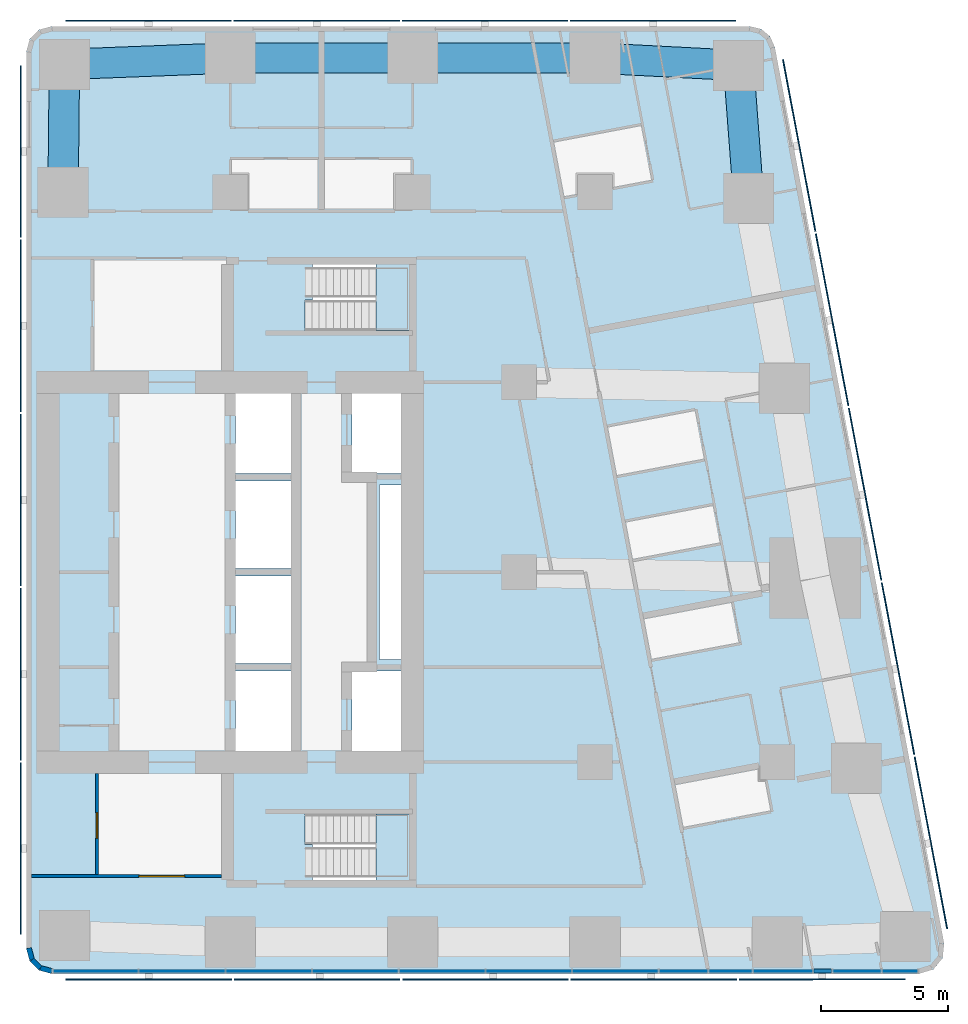
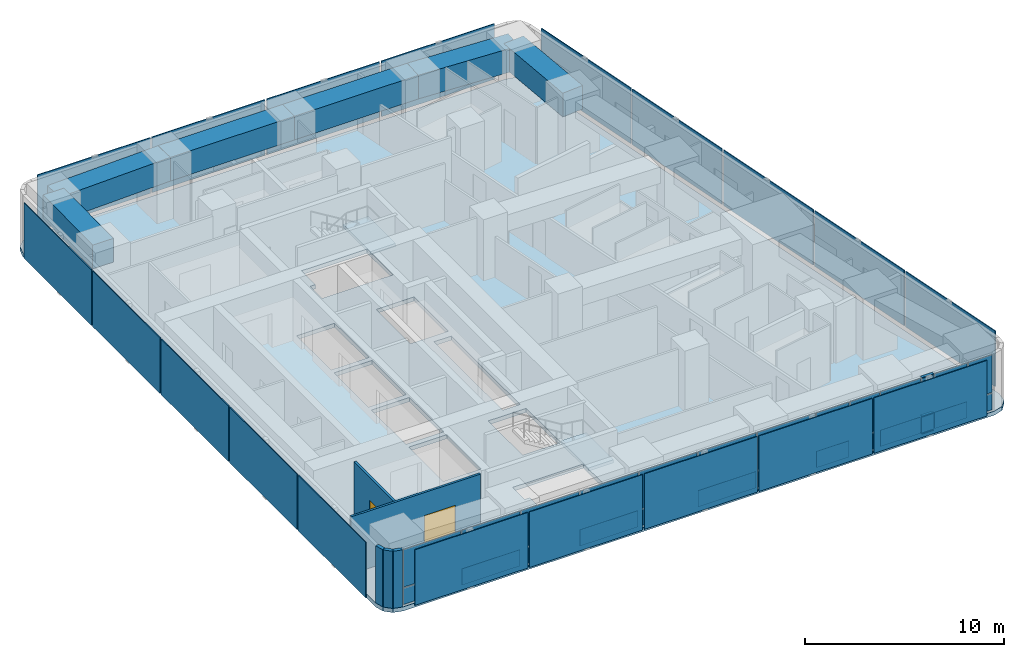
# One storey, part 4 of 11: 45 plates, 6 beams, 5 walls, 3 members, 3 slabs, 2 doors, 2 openings, 3 elements without a shape of their own.
"""IFC4 building model written with IfcOpenShell, lengths in metres."""

from ifc_helpers import new_model, si_unit, direction, frame, frame_2d, origin, origin_2d, place, context, subcontext, project, spatial, polyline, rectangle, outline, extrude, material, layer, layer_set, material_profile, profile_set, type_object, element, fill, aggregate, save


model = new_model("IFC4")

# Units and contexts
model_context = context("Model", 3, precision=1e-05, world=origin(), true_north=direction((0.0, 1.0)))
body_context = subcontext(model_context, "Body", "Model", "MODEL_VIEW")
ifc_project = project(units=[si_unit("LENGTHUNIT", "METRE"), si_unit("AREAUNIT", "SQUARE_METRE"), si_unit("VOLUMEUNIT", "CUBIC_METRE"), si_unit("PLANEANGLEUNIT", "RADIAN"), si_unit("MASSUNIT", "GRAM", prefix="KILO")], contexts=[model_context])

# Site, building, storey
site_placement = place(None, origin())
site = spatial("IfcSite", under=ifc_project, at=site_placement, CompositionType="ELEMENT")
building_placement = place(site_placement, origin())
building = spatial("IfcBuilding", under=site, at=building_placement, Name="Sheger Commons Tower", CompositionType="ELEMENT")
storey_placement = place(building_placement, frame((0.0, 0.0, 255.35009765625)))
storey = spatial("IfcBuildingStorey", under=building, at=storey_placement, Name="L65", CompositionType="ELEMENT", Elevation=255.35009765625)

# Beams
ifc_material_1 = material(Name="Concrete C50/60", Category="concrete")
ifc_material_profile_1 = material_profile(ifc_material_1, rectangle(XDim=1.199951171875, YDim=1.449951171875, at=origin_2d()), Name="RC 1200x1450")
ifc_profile_set_1 = profile_set([ifc_material_profile_1], Name="Concrete C50/60")
beam_type = type_object("IfcBeamType", Name="SPANDREL RC 1200x1450", PredefinedType="SPANDREL", material=ifc_profile_set_1)
beam_1_placement = place(storey_placement, frame((42.06396484375, 37.262939453125, 2.77490234375), z_axis=(-0.075496345854, 0.997146078447, 0.0), x_axis=(-0.997146078447, -0.075496345854, 0.0)))
element("IfcBeam", 1, at=beam_1_placement, inside=storey, type_object=beam_type, Name="Beam E/F-E/G-1.8 under L66", PredefinedType="SPANDREL", context=body_context, shape_type="SweptSolid", body=[
    extrude(rectangle(XDim=1.199951171875, YDim=1.449951171875, at=origin_2d()), origin(), (0.0, 0.0, 1.0), 5.258056640625),
])
beam_2_placement = place(storey_placement, frame((41.6669921875, 42.506103515625, 2.77490234375), z_axis=(-0.998657474351, 0.051800086124, 0.0), x_axis=(-0.051800086124, -0.998657474351, 0.0)))
element("IfcBeam", 2, at=beam_2_placement, inside=storey, type_object=beam_type, Name="Beam E/G-1.8-6/G-1.8 under L66", PredefinedType="SPANDREL", context=body_context, shape_type="SweptSolid", body=[
    extrude(rectangle(XDim=1.199951171875, YDim=1.449951171875, at=origin_2d()), origin(), (0.0, 0.0, 1.0), 5.674560546875),
])
for number, where, z_axis, x_axis, name in (
    (3, (36.0, 42.800048828125, 2.77490234375), (-1.0, 0.0, 0.0), (0.0, -1.0, 0.0), "Beam 6/G-1.8-5/G-1.8 under L66"),
    (4, (28.800048828125, 42.800048828125, 2.77490234375), (-1.0, 0.0, 0.0), (0.0, -1.0, 0.0), "Beam 5/G-1.8-4/G-1.8 under L66"),
):
    element("IfcBeam", number, at=place(storey_placement, frame(where, z_axis=z_axis, x_axis=x_axis)), inside=storey, type_object=beam_type, Name=name, PredefinedType="SPANDREL", context=body_context, shape_type="SweptSolid", body=[
        extrude(rectangle(XDim=1.199951171875, YDim=1.449951171875, at=origin_2d()), origin(), (0.0, 0.0, 1.0), 7.199951171875),
    ])
beam_3_placement = place(storey_placement, frame((21.60009765625, 42.800048828125, 2.77490234375), z_axis=(-0.999247181966, -0.038795223079, 0.0), x_axis=(0.038795223079, -0.999247181966, 0.0)))
element("IfcBeam", 5, at=beam_3_placement, inside=storey, type_object=beam_type, Name="Beam 4/G-1.8-3/G-1.8 under L66", PredefinedType="SPANDREL", context=body_context, shape_type="SweptSolid", body=[
    extrude(rectangle(XDim=1.199951171875, YDim=1.449951171875, at=origin_2d()), origin(), (0.0, 0.0, 1.0), 6.551025390625),
])
beam_4_placement = place(storey_placement, frame((15.053955078125, 42.5458984375, 2.77490234375), z_axis=(-0.010692247282, -0.99994283629, 0.0), x_axis=(0.99994283629, -0.010692247282, 0.0)))
element("IfcBeam", 6, at=beam_4_placement, inside=storey, type_object=beam_type, Name="Beam 3/G-1.8-3/F under L66", PredefinedType="SPANDREL", context=body_context, shape_type="SweptSolid", body=[
    extrude(rectangle(XDim=1.199951171875, YDim=1.449951171875, at=origin_2d()), origin(), (0.0, 0.0, 1.0), 5.046142578125),
])

# Curtain wall, members, plates
ifc_material_2 = material(Name="Black aluminium curtain wall, dark tinted glazing", Category="aluminium")
curtain_wall_type = type_object("IfcCurtainWallType", Name="CURTAIN WALL CW5 SOUTH GALLERY", PredefinedType="USERDEFINED", material=ifc_material_2)
curtain_wall_placement = place(storey_placement, origin())
curtain_wall = element("IfcCurtainWall", 7, at=curtain_wall_placement, inside=storey, type_object=curtain_wall_type, Name="Curtain Wall Cw5 South Gallery S1 L65", ObjectType="UNITISED CURTAIN WALL", PredefinedType="USERDEFINED")
ifc_material_3 = material(Name="Black anodised aluminium", Category="aluminium")
ifc_material_profile_2 = material_profile(ifc_material_3, rectangle(XDim=0.14990234375, YDim=0.06494140625, at=origin_2d()), Name="AL 65x150")
ifc_profile_set_2 = profile_set([ifc_material_profile_2], Name="Black anodised aluminium")
member_type = type_object("IfcMemberType", Name="TRANSOM AL 65x150", PredefinedType="USERDEFINED", material=ifc_profile_set_2)
member_1_placement = place(storey_placement, frame((44.638427734375, 6.75, 0.032470703125), z_axis=(1.0, 0.0, 0.0), x_axis=(0.0, 1.0, 0.0)))
member_1 = element("IfcMember", 8, at=member_1_placement, type_object=member_type, Name="CW5 transom 11.1", ObjectType="TRANSOM", PredefinedType="USERDEFINED", context=body_context, shape_type="SweptSolid", body=[
    extrude(rectangle(XDim=0.14990234375, YDim=0.06494140625, at=origin_2d()), origin(), (0.0, 0.0, 1.0), 0.694091796875),
])
member_2_placement = place(storey_placement, frame((44.638427734375, 6.75, 1.099853515625), z_axis=(1.0, 0.0, 0.0), x_axis=(0.0, 1.0, 0.0)))
member_2 = element("IfcMember", 9, at=member_2_placement, type_object=member_type, Name="CW5 transom 11.2", ObjectType="TRANSOM", PredefinedType="USERDEFINED", context=body_context, shape_type="SweptSolid", body=[
    extrude(rectangle(XDim=0.14990234375, YDim=0.06494140625, at=origin_2d()), origin(), (0.0, 0.0, 1.0), 0.694091796875),
])
member_3_placement = place(storey_placement, frame((44.638427734375, 6.75, 3.46728515625), z_axis=(1.0, 0.0, 0.0), x_axis=(0.0, 1.0, 0.0)))
member_3 = element("IfcMember", 10, at=member_3_placement, type_object=member_type, Name="CW5 transom 11.3", ObjectType="TRANSOM", PredefinedType="USERDEFINED", context=body_context, shape_type="SweptSolid", body=[
    extrude(rectangle(XDim=0.14990234375, YDim=0.06494140625, at=origin_2d()), origin(), (0.0, 0.0, 1.0), 0.694091796875),
])
ifc_material_4 = material(Name="Dark tinted double glazing", Category="glass")
ifc_layer_1 = layer(ifc_material_4, 0.031982421875)
ifc_layer_set_1 = layer_set([ifc_layer_1], Name="GLAZED PANEL 32")
plate_type_1 = type_object("IfcPlateType", Name="GLAZED PANEL 32", PredefinedType="CURTAIN_PANEL", material=ifc_layer_set_1)
plate_1_placement = place(storey_placement, frame((16.290283203125, 6.75, 0.06494140625), z_axis=(0.0, 0.0, 1.0), x_axis=(1.0, 0.0, 0.0)))
plate_1 = element("IfcPlate", 11, at=plate_1_placement, type_object=plate_type_1, Name="CW5 panel 1.1", PredefinedType="CURTAIN_PANEL", context=body_context, shape_type="SweptSolid", body=[
    extrude(rectangle(XDim=3.324462890625, YDim=0.031982421875, at=origin_2d()), origin(), (0.0, 0.0, 1.0), 1.00244140625),
])
plate_2_placement = place(storey_placement, frame((16.290283203125, 6.75, 1.13232421875), z_axis=(0.0, 0.0, 1.0), x_axis=(1.0, 0.0, 0.0)))
plate_2 = element("IfcPlate", 12, at=plate_2_placement, type_object=plate_type_1, Name="CW5 panel 1.2", PredefinedType="CURTAIN_PANEL", context=body_context, shape_type="SweptSolid", body=[
    extrude(rectangle(XDim=3.324462890625, YDim=0.031982421875, at=origin_2d()), origin(), (0.0, 0.0, 1.0), 2.302490234375),
])
plate_3_placement = place(storey_placement, frame((19.696533203125, 6.75, 0.06494140625), z_axis=(0.0, 0.0, 1.0), x_axis=(1.0, 0.0, 0.0)))
plate_3 = element("IfcPlate", 13, at=plate_3_placement, type_object=plate_type_1, Name="CW5 panel 2.1", PredefinedType="CURTAIN_PANEL", context=body_context, shape_type="SweptSolid", body=[
    extrude(rectangle(XDim=3.35791015625, YDim=0.031982421875, at=origin_2d()), origin(), (0.0, 0.0, 1.0), 1.00244140625),
])
plate_4_placement = place(storey_placement, frame((19.696533203125, 6.75, 1.13232421875), z_axis=(0.0, 0.0, 1.0), x_axis=(1.0, 0.0, 0.0)))
plate_4 = element("IfcPlate", 14, at=plate_4_placement, type_object=plate_type_1, Name="CW5 panel 2.2", PredefinedType="CURTAIN_PANEL", context=body_context, shape_type="SweptSolid", body=[
    extrude(rectangle(XDim=3.35791015625, YDim=0.031982421875, at=origin_2d()), origin(), (0.0, 0.0, 1.0), 2.302490234375),
])
plate_5_placement = place(storey_placement, frame((23.118896484375, 6.75, 0.06494140625), z_axis=(0.0, 0.0, 1.0), x_axis=(1.0, 0.0, 0.0)))
plate_5 = element("IfcPlate", 15, at=plate_5_placement, type_object=plate_type_1, Name="CW5 panel 3.1", PredefinedType="CURTAIN_PANEL", context=body_context, shape_type="SweptSolid", body=[
    extrude(rectangle(XDim=3.35693359375, YDim=0.031982421875, at=origin_2d()), origin(), (0.0, 0.0, 1.0), 1.00244140625),
])
plate_6_placement = place(storey_placement, frame((23.118896484375, 6.75, 1.13232421875), z_axis=(0.0, 0.0, 1.0), x_axis=(1.0, 0.0, 0.0)))
plate_6 = element("IfcPlate", 16, at=plate_6_placement, type_object=plate_type_1, Name="CW5 panel 3.2", PredefinedType="CURTAIN_PANEL", context=body_context, shape_type="SweptSolid", body=[
    extrude(rectangle(XDim=3.35693359375, YDim=0.031982421875, at=origin_2d()), origin(), (0.0, 0.0, 1.0), 2.302490234375),
])
plate_7_placement = place(storey_placement, frame((26.54150390625, 6.75, 0.06494140625), z_axis=(0.0, 0.0, 1.0), x_axis=(1.0, 0.0, 0.0)))
plate_7 = element("IfcPlate", 17, at=plate_7_placement, type_object=plate_type_1, Name="CW5 panel 4.1", PredefinedType="CURTAIN_PANEL", context=body_context, shape_type="SweptSolid", body=[
    extrude(rectangle(XDim=3.35791015625, YDim=0.031982421875, at=origin_2d()), origin(), (0.0, 0.0, 1.0), 1.00244140625),
])
plate_8_placement = place(storey_placement, frame((26.54150390625, 6.75, 1.13232421875), z_axis=(0.0, 0.0, 1.0), x_axis=(1.0, 0.0, 0.0)))
plate_8 = element("IfcPlate", 18, at=plate_8_placement, type_object=plate_type_1, Name="CW5 panel 4.2", PredefinedType="CURTAIN_PANEL", context=body_context, shape_type="SweptSolid", body=[
    extrude(rectangle(XDim=3.35791015625, YDim=0.031982421875, at=origin_2d()), origin(), (0.0, 0.0, 1.0), 2.302490234375),
])
plate_9_placement = place(storey_placement, frame((29.964111328125, 6.75, 0.06494140625), z_axis=(0.0, 0.0, 1.0), x_axis=(1.0, 0.0, 0.0)))
plate_9 = element("IfcPlate", 19, at=plate_9_placement, type_object=plate_type_1, Name="CW5 panel 5.1", PredefinedType="CURTAIN_PANEL", context=body_context, shape_type="SweptSolid", body=[
    extrude(rectangle(XDim=3.35693359375, YDim=0.031982421875, at=origin_2d()), origin(), (0.0, 0.0, 1.0), 1.00244140625),
])
plate_10_placement = place(storey_placement, frame((29.964111328125, 6.75, 1.13232421875), z_axis=(0.0, 0.0, 1.0), x_axis=(1.0, 0.0, 0.0)))
plate_10 = element("IfcPlate", 20, at=plate_10_placement, type_object=plate_type_1, Name="CW5 panel 5.2", PredefinedType="CURTAIN_PANEL", context=body_context, shape_type="SweptSolid", body=[
    extrude(rectangle(XDim=3.35693359375, YDim=0.031982421875, at=origin_2d()), origin(), (0.0, 0.0, 1.0), 2.302490234375),
])
plate_11_placement = place(storey_placement, frame((33.385986328125, 6.75, 0.06494140625), z_axis=(0.0, 0.0, 1.0), x_axis=(1.0, 0.0, 0.0)))
plate_11 = element("IfcPlate", 21, at=plate_11_placement, type_object=plate_type_1, Name="CW5 panel 6.1", PredefinedType="CURTAIN_PANEL", context=body_context, shape_type="SweptSolid", body=[
    extrude(rectangle(XDim=3.35693359375, YDim=0.031982421875, at=origin_2d()), origin(), (0.0, 0.0, 1.0), 1.00244140625),
])
plate_12_placement = place(storey_placement, frame((33.385986328125, 6.75, 1.13232421875), z_axis=(0.0, 0.0, 1.0), x_axis=(1.0, 0.0, 0.0)))
plate_12 = element("IfcPlate", 22, at=plate_12_placement, type_object=plate_type_1, Name="CW5 panel 6.2", PredefinedType="CURTAIN_PANEL", context=body_context, shape_type="SweptSolid", body=[
    extrude(rectangle(XDim=3.35693359375, YDim=0.031982421875, at=origin_2d()), origin(), (0.0, 0.0, 1.0), 2.302490234375),
])
plate_13_placement = place(storey_placement, frame((36.80859375, 6.75, 0.06494140625), z_axis=(0.0, 0.0, 1.0), x_axis=(1.0, 0.0, 0.0)))
plate_13 = element("IfcPlate", 23, at=plate_13_placement, type_object=plate_type_1, Name="CW5 panel 7.1", PredefinedType="CURTAIN_PANEL", context=body_context, shape_type="SweptSolid", body=[
    extrude(rectangle(XDim=3.35791015625, YDim=0.031982421875, at=origin_2d()), origin(), (0.0, 0.0, 1.0), 1.00244140625),
])
plate_14_placement = place(storey_placement, frame((36.80859375, 6.75, 1.13232421875), z_axis=(0.0, 0.0, 1.0), x_axis=(1.0, 0.0, 0.0)))
plate_14 = element("IfcPlate", 24, at=plate_14_placement, type_object=plate_type_1, Name="CW5 panel 7.2", PredefinedType="CURTAIN_PANEL", context=body_context, shape_type="SweptSolid", body=[
    extrude(rectangle(XDim=3.35791015625, YDim=0.031982421875, at=origin_2d()), origin(), (0.0, 0.0, 1.0), 2.302490234375),
])
plate_15_placement = place(storey_placement, frame((39.4970703125, 6.75, 0.06494140625), z_axis=(0.0, 0.0, 1.0), x_axis=(1.0, 0.0, 0.0)))
plate_15 = element("IfcPlate", 25, at=plate_15_placement, type_object=plate_type_1, Name="CW5 panel 8.1", PredefinedType="CURTAIN_PANEL", context=body_context, shape_type="SweptSolid", body=[
    extrude(rectangle(XDim=1.888916015625, YDim=0.031982421875, at=origin_2d()), origin(), (0.0, 0.0, 1.0), 1.00244140625),
])
plate_16_placement = place(storey_placement, frame((39.4970703125, 6.75, 1.13232421875), z_axis=(0.0, 0.0, 1.0), x_axis=(1.0, 0.0, 0.0)))
plate_16 = element("IfcPlate", 26, at=plate_16_placement, type_object=plate_type_1, Name="CW5 panel 8.2", PredefinedType="CURTAIN_PANEL", context=body_context, shape_type="SweptSolid", body=[
    extrude(rectangle(XDim=1.888916015625, YDim=0.031982421875, at=origin_2d()), origin(), (0.0, 0.0, 1.0), 2.302490234375),
])
plate_17_placement = place(storey_placement, frame((41.35107421875, 6.75, 0.06494140625), z_axis=(0.0, 0.0, 1.0), x_axis=(1.0, 0.0, 0.0)))
plate_17 = element("IfcPlate", 27, at=plate_17_placement, type_object=plate_type_1, Name="CW5 panel 9.1", PredefinedType="CURTAIN_PANEL", context=body_context, shape_type="SweptSolid", body=[
    extrude(rectangle(XDim=1.68896484375, YDim=0.031982421875, at=origin_2d()), origin(), (0.0, 0.0, 1.0), 1.00244140625),
])
plate_18_placement = place(storey_placement, frame((41.35107421875, 6.75, 1.13232421875), z_axis=(0.0, 0.0, 1.0), x_axis=(1.0, 0.0, 0.0)))
plate_18 = element("IfcPlate", 28, at=plate_18_placement, type_object=plate_type_1, Name="CW5 panel 9.2", PredefinedType="CURTAIN_PANEL", context=body_context, shape_type="SweptSolid", body=[
    extrude(rectangle(XDim=1.68896484375, YDim=0.031982421875, at=origin_2d()), origin(), (0.0, 0.0, 1.0), 2.302490234375),
])
plate_19_placement = place(storey_placement, frame((43.4169921875, 6.75, 0.06494140625), z_axis=(0.0, 0.0, 1.0), x_axis=(1.0, 0.0, 0.0)))
plate_19 = element("IfcPlate", 29, at=plate_19_placement, type_object=plate_type_1, Name="CW5 panel 10.1", PredefinedType="CURTAIN_PANEL", context=body_context, shape_type="SweptSolid", body=[
    extrude(rectangle(XDim=2.31298828125, YDim=0.031982421875, at=origin_2d()), origin(), (0.0, 0.0, 1.0), 1.00244140625),
])
plate_20_placement = place(storey_placement, frame((43.4169921875, 6.75, 1.13232421875), z_axis=(0.0, 0.0, 1.0), x_axis=(1.0, 0.0, 0.0)))
plate_20 = element("IfcPlate", 30, at=plate_20_placement, type_object=plate_type_1, Name="CW5 panel 10.2", PredefinedType="CURTAIN_PANEL", context=body_context, shape_type="SweptSolid", body=[
    extrude(rectangle(XDim=2.31298828125, YDim=0.031982421875, at=origin_2d()), origin(), (0.0, 0.0, 1.0), 2.302490234375),
])
plate_21_placement = place(storey_placement, frame((44.985595703125, 6.75, 0.06494140625), z_axis=(0.0, 0.0, 1.0), x_axis=(1.0, 0.0, 0.0)))
plate_21 = element("IfcPlate", 31, at=plate_21_placement, type_object=plate_type_1, Name="CW5 panel 11.1", PredefinedType="CURTAIN_PANEL", context=body_context, shape_type="SweptSolid", body=[
    extrude(rectangle(XDim=0.694091796875, YDim=0.031982421875, at=origin_2d()), origin(), (0.0, 0.0, 1.0), 1.00244140625),
])
plate_22_placement = place(storey_placement, frame((44.985595703125, 6.75, 1.13232421875), z_axis=(0.0, 0.0, 1.0), x_axis=(1.0, 0.0, 0.0)))
plate_22 = element("IfcPlate", 32, at=plate_22_placement, type_object=plate_type_1, Name="CW5 panel 11.2", PredefinedType="CURTAIN_PANEL", context=body_context, shape_type="SweptSolid", body=[
    extrude(rectangle(XDim=0.694091796875, YDim=0.031982421875, at=origin_2d()), origin(), (0.0, 0.0, 1.0), 2.302490234375),
])
plate_23_placement = place(storey_placement, frame((46.342041015625, 6.75, 0.06494140625), z_axis=(0.0, 0.0, 1.0), x_axis=(1.0, 0.0, 0.0)))
plate_23 = element("IfcPlate", 33, at=plate_23_placement, type_object=plate_type_1, Name="CW5 panel 12.1", PredefinedType="CURTAIN_PANEL", context=body_context, shape_type="SweptSolid", body=[
    extrude(rectangle(XDim=1.888916015625, YDim=0.031982421875, at=origin_2d()), origin(), (0.0, 0.0, 1.0), 1.00244140625),
])
plate_24_placement = place(storey_placement, frame((46.342041015625, 6.75, 1.13232421875), z_axis=(0.0, 0.0, 1.0), x_axis=(1.0, 0.0, 0.0)))
plate_24 = element("IfcPlate", 34, at=plate_24_placement, type_object=plate_type_1, Name="CW5 panel 12.2", PredefinedType="CURTAIN_PANEL", context=body_context, shape_type="SweptSolid", body=[
    extrude(rectangle(XDim=1.888916015625, YDim=0.031982421875, at=origin_2d()), origin(), (0.0, 0.0, 1.0), 2.302490234375),
])
plate_25_placement = place(storey_placement, frame((48.036865234375, 6.75, 0.06494140625), z_axis=(0.0, 0.0, 1.0), x_axis=(1.0, 0.0, 0.0)))
plate_25 = element("IfcPlate", 35, at=plate_25_placement, type_object=plate_type_1, Name="CW5 panel 13.1", PredefinedType="CURTAIN_PANEL", context=body_context, shape_type="SweptSolid", body=[
    extrude(rectangle(XDim=1.37060546875, YDim=0.031982421875, at=origin_2d()), origin(), (0.0, 0.0, 1.0), 1.00244140625),
])
plate_26_placement = place(storey_placement, frame((48.036865234375, 6.75, 1.13232421875), z_axis=(0.0, 0.0, 1.0), x_axis=(1.0, 0.0, 0.0)))
plate_26 = element("IfcPlate", 36, at=plate_26_placement, type_object=plate_type_1, Name="CW5 panel 13.2", PredefinedType="CURTAIN_PANEL", context=body_context, shape_type="SweptSolid", body=[
    extrude(rectangle(XDim=1.37060546875, YDim=0.031982421875, at=origin_2d()), origin(), (0.0, 0.0, 1.0), 2.302490234375),
])
aggregate(curtain_wall, [plate_1, plate_2, plate_3, plate_4, plate_5, plate_6, plate_7, plate_8, plate_9, plate_10, plate_11, plate_12, plate_13, plate_14, plate_15, plate_16, plate_17, plate_18, plate_19, plate_20, member_1, member_2, member_3, plate_21, plate_22, plate_23, plate_24, plate_25, plate_26])

# Slab
ifc_material_5 = material(Name="Concrete C35/45", Category="concrete")
ifc_layer_2 = layer(ifc_material_5, 0.25)
ifc_layer_set_2 = layer_set([ifc_layer_2], Name="SLAB FLOOR 250")
slab_type_1 = type_object("IfcSlabType", Name="SLAB FLOOR 250", PredefinedType="FLOOR", material=ifc_layer_set_2)
slab_1_placement = place(storey_placement, frame((0.0, 0.0, -0.25)))
element("IfcSlab", 37, at=slab_1_placement, inside=storey, type_object=slab_type_1, Name="L65 floor slab", PredefinedType="FLOOR", context=body_context, shape_type="SweptSolid", body=[
    extrude(outline(polyline([(13.550048828125, 7.64990234375), (13.68408203125, 7.14990234375), (14.050048828125, 6.783935546875), (14.550048828125, 6.64990234375), (48.802001953125, 6.64990234375), (49.35498046875, 6.81689453125), (49.72412109375, 7.260986328125), (49.784912109375, 7.8359375), (43.097900390625, 43.236083984375), (42.912109375, 43.654052734375), (42.56005859375, 43.945068359375), (42.114990234375, 44.050048828125), (14.550048828125, 44.050048828125), (14.050048828125, 43.916015625), (13.68408203125, 43.550048828125), (13.550048828125, 43.050048828125), (13.550048828125, 7.64990234375)]), holes=[polyline([(24.85009765625, 10.35009765625), (28.64990234375, 10.35009765625), (28.64990234375, 12.949951171875), (24.551025390625, 12.949951171875), (24.551025390625, 11.75), (24.85009765625, 11.75), (24.85009765625, 10.35009765625)]), polyline([(24.551025390625, 32.050048828125), (28.64990234375, 32.050048828125), (28.64990234375, 34.64990234375), (24.85009765625, 34.64990234375), (24.85009765625, 33.25), (24.551025390625, 33.25), (24.551025390625, 32.050048828125)]), polyline([(26.39990234375, 15.14990234375), (28.60009765625, 15.14990234375), (28.60009765625, 18.60009765625), (26.39990234375, 18.60009765625), (26.39990234375, 15.14990234375)]), polyline([(26.39990234375, 26.39990234375), (28.60009765625, 26.39990234375), (28.60009765625, 29.85009765625), (26.39990234375, 29.85009765625), (26.39990234375, 26.39990234375)]), polyline([(21.800048828125, 15.14990234375), (24.0, 15.14990234375), (24.0, 18.60009765625), (21.800048828125, 18.60009765625), (21.800048828125, 15.14990234375)]), polyline([(21.800048828125, 18.89990234375), (24.0, 18.89990234375), (24.0, 22.35009765625), (21.800048828125, 22.35009765625), (21.800048828125, 18.89990234375)]), polyline([(21.800048828125, 22.64990234375), (24.0, 22.64990234375), (24.0, 26.10009765625), (21.800048828125, 26.10009765625), (21.800048828125, 22.64990234375)]), polyline([(21.800048828125, 26.39990234375), (24.0, 26.39990234375), (24.0, 29.85009765625), (21.800048828125, 29.85009765625), (21.800048828125, 26.39990234375)]), polyline([(27.5, 19.050048828125), (28.5, 19.050048828125), (28.5, 25.949951171875), (27.5, 25.949951171875), (27.5, 19.050048828125)])]), origin(), (0.0, 0.0, 1.0), 0.25),
])

# Plates
ifc_material_6 = material(Name="Perforated black anodised aluminium screen", Category="aluminium")
ifc_layer_3 = layer(ifc_material_6, 0.050048828125)
ifc_layer_set_3 = layer_set([ifc_layer_3], Name="SOLAR SCREEN SCREEN-1")
plate_type_2 = type_object("IfcPlateType", Name="SOLAR SCREEN SCREEN-1", PredefinedType="USERDEFINED", material=ifc_layer_set_3)
for number, where, z_axis, x_axis, name in (
    (38, (18.375, 6.425048828125, 0.050048828125), (0.0, 0.0, 1.0), (1.0, 0.0, 0.0), "Perforated solar screen panel"),
    (39, (25.02587890625, 6.425048828125, 0.050048828125), (0.0, 0.0, 1.0), (1.0, 0.0, 0.0), "Perforated solar screen panel"),
    (40, (31.676025390625, 6.425048828125, 0.050048828125), (0.0, 0.0, 1.0), (1.0, 0.0, 0.0), "Perforated solar screen panel"),
    (41, (38.325927734375, 6.425048828125, 0.050048828125), (0.0, 0.0, 1.0), (1.0, 0.0, 0.0), "Perforated solar screen panel"),
    (42, (44.97705078125, 6.425048828125, 0.050048828125), (0.0, 0.0, 1.0), (1.0, 0.0, 0.0), "Perforated solar screen panel"),
):
    element("IfcPlate", number, at=place(storey_placement, frame(where, z_axis=z_axis, x_axis=x_axis)), inside=storey, type_object=plate_type_2, Name=name, ObjectType="SCREEN", PredefinedType="USERDEFINED", context=body_context, shape_type="SweptSolid", body=[
        extrude(rectangle(XDim=6.550048828125, YDim=0.050048828125, at=origin_2d()), origin(), (0.0, 0.0, 1.0), 3.39990234375),
    ])
for number, where, z_axis, x_axis, name in (
    (43, (49.262939453125, 11.81103515625, 0.050048828125), (0.0, 0.0, 1.0), (-0.185615165645, 0.982622516678, 0.0), "Perforated solar screen panel"),
    (44, (47.962890625, 18.694091796875, 0.050048828125), (0.0, 0.0, 1.0), (-0.185615165645, 0.982622516678, 0.0), "Perforated solar screen panel"),
    (45, (46.6630859375, 25.577880859375, 0.050048828125), (0.0, 0.0, 1.0), (-0.185615165645, 0.982622516678, 0.0), "Perforated solar screen panel"),
    (46, (45.362060546875, 32.4609375, 0.050048828125), (0.0, 0.0, 1.0), (-0.185615165645, 0.982622516678, 0.0), "Perforated solar screen panel"),
    (47, (44.06201171875, 39.344970703125, 0.050048828125), (0.0, 0.0, 1.0), (-0.185615165645, 0.982622516678, 0.0), "Perforated solar screen panel"),
):
    element("IfcPlate", number, at=place(storey_placement, frame(where, z_axis=z_axis, x_axis=x_axis)), inside=storey, type_object=plate_type_2, Name=name, ObjectType="SCREEN", PredefinedType="USERDEFINED", context=body_context, shape_type="SweptSolid", body=[
        extrude(rectangle(XDim=6.905029296875, YDim=0.050048828125, at=origin_2d()), origin(), (0.0, 0.0, 1.0), 3.39990234375),
    ])
for number, where, z_axis, x_axis, name in (
    (48, (38.2939453125, 44.27490234375, 0.050048828125), (0.0, 0.0, 1.0), (-1.0, 0.0, 0.0), "Perforated solar screen panel"),
    (49, (31.653076171875, 44.27490234375, 0.050048828125), (0.0, 0.0, 1.0), (-1.0, 0.0, 0.0), "Perforated solar screen panel"),
    (50, (25.011962890625, 44.27490234375, 0.050048828125), (0.0, 0.0, 1.0), (-1.0, 0.0, 0.0), "Perforated solar screen panel"),
    (51, (18.37109375, 44.27490234375, 0.050048828125), (0.0, 0.0, 1.0), (-1.0, 0.0, 0.0), "Perforated solar screen panel"),
):
    element("IfcPlate", number, at=place(storey_placement, frame(where, z_axis=z_axis, x_axis=x_axis)), inside=storey, type_object=plate_type_2, Name=name, ObjectType="SCREEN", PredefinedType="USERDEFINED", context=body_context, shape_type="SweptSolid", body=[
        extrude(rectangle(XDim=6.541015625, YDim=0.050048828125, at=origin_2d()), origin(), (0.0, 0.0, 1.0), 3.39990234375),
    ])
for number, where, z_axis, x_axis, name in (
    (52, (13.324951171875, 39.110107421875, 0.050048828125), (0.0, 0.0, 1.0), (0.0, -1.0, 0.0), "Perforated solar screen panel"),
    (53, (13.324951171875, 32.22998046875, 0.050048828125), (0.0, 0.0, 1.0), (0.0, -1.0, 0.0), "Perforated solar screen panel"),
    (54, (13.324951171875, 25.35009765625, 0.050048828125), (0.0, 0.0, 1.0), (0.0, -1.0, 0.0), "Perforated solar screen panel"),
    (55, (13.324951171875, 18.469970703125, 0.050048828125), (0.0, 0.0, 1.0), (0.0, -1.0, 0.0), "Perforated solar screen panel"),
    (56, (13.324951171875, 11.590087890625, 0.050048828125), (0.0, 0.0, 1.0), (0.0, -1.0, 0.0), "Perforated solar screen panel"),
):
    element("IfcPlate", number, at=place(storey_placement, frame(where, z_axis=z_axis, x_axis=x_axis)), inside=storey, type_object=plate_type_2, Name=name, ObjectType="SCREEN", PredefinedType="USERDEFINED", context=body_context, shape_type="SweptSolid", body=[
        extrude(rectangle(XDim=6.780029296875, YDim=0.050048828125, at=origin_2d()), origin(), (0.0, 0.0, 1.0), 3.39990234375),
    ])

# Stair, slab
ifc_material_7 = material(Name="Concrete C35/45", Category="concrete")
stair_type = type_object("IfcStairType", Name="HALF-TURN STAIR 1200 RISE 3750", PredefinedType="HALF_TURN_STAIR", material=ifc_material_7)
stair_1_placement = place(storey_placement, origin())
stair_1 = element("IfcStair", 57, at=stair_1_placement, inside=storey, type_object=stair_type, Name="Stair S1 L65", PredefinedType="HALF_TURN_STAIR")
ifc_material_8 = material(Name="Concrete C35/45", Category="concrete")
ifc_layer_4 = layer(ifc_material_8, 0.199951171875)
ifc_layer_set_4 = layer_set([ifc_layer_4], Name="STAIR LANDING 200")
slab_type_2 = type_object("IfcSlabType", Name="STAIR LANDING 200", PredefinedType="LANDING", material=ifc_layer_set_4)
slab_2_placement = place(storey_placement, frame((0.0, 0.0, 1.6748046875)))
slab_2 = element("IfcSlab", 58, at=slab_2_placement, type_object=slab_type_2, Name="S1 landing 1", PredefinedType="LANDING", context=body_context, shape_type="SweptSolid", body=[
    extrude(outline(polyline([(27.35009765625, 10.199951171875), (28.800048828125, 10.199951171875), (28.800048828125, 12.949951171875), (27.35009765625, 12.949951171875), (27.35009765625, 10.199951171875)])), origin(), (0.0, 0.0, 1.0), 0.2001953125),
])
aggregate(stair_1, [slab_2])

stair_2_placement = place(storey_placement, origin())
stair_2 = element("IfcStair", 59, at=stair_2_placement, inside=storey, type_object=stair_type, Name="Stair S2 L65", PredefinedType="HALF_TURN_STAIR")
slab_3_placement = place(storey_placement, frame((0.0, 0.0, 1.6748046875)))
slab_3 = element("IfcSlab", 60, at=slab_3_placement, type_object=slab_type_2, Name="S2 landing 1", PredefinedType="LANDING", context=body_context, shape_type="SweptSolid", body=[
    extrude(outline(polyline([(27.35009765625, 32.050048828125), (28.800048828125, 32.050048828125), (28.800048828125, 34.800048828125), (27.35009765625, 34.800048828125), (27.35009765625, 32.050048828125)])), origin(), (0.0, 0.0, 1.0), 0.2001953125),
])
aggregate(stair_2, [slab_3])

# Walls
ifc_material_9 = material(Name="Rendered concrete block masonry, dark grey", Category="masonry")
ifc_layer_5 = layer(ifc_material_9, 0.199951171875)
ifc_layer_set_5 = layer_set([ifc_layer_5], Name="FACADE WALL 200")
wall_type_1 = type_object("IfcWallType", Name="FACADE WALL 200", PredefinedType="SOLIDWALL", material=ifc_layer_set_5)
wall_1_placement = place(storey_placement, frame((13.64990234375, 7.6630859375, 0.0), z_axis=(0.0, 0.0, 1.0), x_axis=(0.259698463175, -0.965689757751, 0.0)))
element("IfcWall", 61, at=wall_1_placement, inside=storey, type_object=wall_type_1, Name="Facade wall L65", PredefinedType="SOLIDWALL", context=body_context, shape_type="SweptSolid", body=[
    extrude(rectangle(XDim=0.4775390625, YDim=0.199951171875, at=frame_2d((0.23876953125, 0.0))), origin(), (0.0, 0.0, 1.0), 3.5),
])
wall_2_placement = place(storey_placement, frame((13.77392578125, 7.201904296875, 0.0), z_axis=(0.0, 0.0, 1.0), x_axis=(0.707369890659, -0.706843573776, 0.0)))
element("IfcWall", 62, at=wall_2_placement, inside=storey, type_object=wall_type_1, Name="Facade wall L65", PredefinedType="SOLIDWALL", context=body_context, shape_type="SweptSolid", body=[
    extrude(rectangle(XDim=0.4638671875, YDim=0.199951171875, at=frame_2d((0.23193359375, 0.0))), origin(), (0.0, 0.0, 1.0), 3.5),
])
wall_3_placement = place(storey_placement, frame((14.10205078125, 6.8740234375, 0.0), z_axis=(0.0, 0.0, 1.0), x_axis=(0.965655254015, -0.259826731483, 0.0)))
element("IfcWall", 63, at=wall_3_placement, inside=storey, type_object=wall_type_1, Name="Facade wall L65", PredefinedType="SOLIDWALL", context=body_context, shape_type="SweptSolid", body=[
    extrude(rectangle(XDim=0.477294921875, YDim=0.199951171875, at=frame_2d((0.23876953125, 0.0))), origin(), (0.0, 0.0, 1.0), 3.5),
])

# Wall, opening, door
ifc_material_10 = material(Name="Gypsum board on steel studs, two layers each side, fire rated", Category="steel")
ifc_layer_6 = layer(ifc_material_10, 0.125)
ifc_layer_set_6 = layer_set([ifc_layer_6], Name="SERVICE WALL 125")
wall_type_2 = type_object("IfcWallType", Name="SERVICE WALL 125", PredefinedType="PARTITIONING", material=ifc_layer_set_6)
wall_4_placement = place(storey_placement, frame((13.75, 10.5, 0.0), z_axis=(0.0, 0.0, 1.0), x_axis=(1.0, 0.0, 0.0)))
wall_4 = element("IfcWall", 64, at=wall_4_placement, inside=storey, type_object=wall_type_2, Name="Service room wall L65", PredefinedType="PARTITIONING", context=body_context, shape_type="SweptSolid", body=[
    extrude(rectangle(XDim=7.5, YDim=0.125, at=frame_2d((3.75, 0.0))), origin(), (0.0, 0.0, 1.0), 3.5),
])
opening_1_placement = place(wall_4_placement, frame((4.2451171875, 0.0, 0.0)))
opening_1 = element("IfcOpeningElement", 65, at=opening_1_placement, cuts=wall_4, Name="Opening D6", PredefinedType="OPENING", context=body_context, shape_type="SweptSolid", body=[
    extrude(rectangle(XDim=1.800048828125, YDim=2.10009765625, at=frame_2d((0.89990234375, 1.050048828125))), frame((0.0, 0.072509765625, 0.0), z_axis=(0.0, -1.0, 0.0), x_axis=(1.0, 0.0, 0.0)), (0.0, 0.0, 1.0), 0.14501953125),
])
ifc_material_11 = material(Name="Steel door set, fire rated", Category="steel")
door_type_1 = type_object("IfcDoorType", Name="LOBBY DOUBLE DOOR 1800x2100", OperationType="DOUBLE_DOOR_SINGLE_SWING", PredefinedType="DOOR", material=ifc_material_11)
door_1_placement = place(opening_1_placement, origin())
door_1 = element("IfcDoor", 66, at=door_1_placement, inside=storey, type_object=door_type_1, Name="Lift lobby south door", OperationType="DOUBLE_DOOR_SINGLE_SWING", OverallHeight=2.10009765625, OverallWidth=1.800048828125, PredefinedType="DOOR", context=body_context, shape_type="SweptSolid", body=[
    extrude(rectangle(XDim=1.800048828125, YDim=2.10009765625, at=frame_2d((0.89990234375, 1.050048828125))), frame((0.0, 0.02490234375, 0.0), z_axis=(0.0, -1.0, 0.0), x_axis=(1.0, 0.0, 0.0)), (0.0, 0.0, 1.0), 0.050048828125),
])
fill(opening_1, door_1)

wall_5_placement = place(storey_placement, frame((16.340087890625, 10.56201171875, 0.0), z_axis=(0.0, 0.0, 1.0), x_axis=(0.0, 1.0, 0.0)))
wall_5 = element("IfcWall", 67, at=wall_5_placement, inside=storey, type_object=wall_type_2, Name="Service room wall L65", PredefinedType="PARTITIONING", context=body_context, shape_type="SweptSolid", body=[
    extrude(rectangle(XDim=3.988037109375, YDim=0.125, at=frame_2d((1.994140625, 0.0))), origin(), (0.0, 0.0, 1.0), 3.5),
])
opening_2_placement = place(wall_5_placement, frame((1.43798828125, 0.0, 0.0)))
opening_2 = element("IfcOpeningElement", 68, at=opening_2_placement, cuts=wall_5, Name="Opening D4", PredefinedType="OPENING", context=body_context, shape_type="SweptSolid", body=[
    extrude(rectangle(XDim=1.0, YDim=2.10009765625, at=frame_2d((0.5, 1.050048828125))), frame((0.0, 0.072509765625, 0.0), z_axis=(0.0, -1.0, 0.0), x_axis=(1.0, 0.0, 0.0)), (0.0, 0.0, 1.0), 0.14501953125),
])
ifc_material_12 = material(Name="Steel door set, fire rated", Category="steel")
door_type_2 = type_object("IfcDoorType", Name="SERVICE DOOR 1000x2100", OperationType="NOTDEFINED", PredefinedType="DOOR", material=ifc_material_12)
door_2_placement = place(opening_2_placement, origin())
door_2 = element("IfcDoor", 69, at=door_2_placement, inside=storey, type_object=door_type_2, Name="Electrical room door", OperationType="SINGLE_SWING_LEFT", OverallHeight=2.10009765625, OverallWidth=1.0, PredefinedType="DOOR", context=body_context, shape_type="SweptSolid", body=[
    extrude(rectangle(XDim=1.0, YDim=2.10009765625, at=frame_2d((0.5, 1.050048828125))), frame((0.0, 0.02490234375, 0.0), z_axis=(0.0, -1.0, 0.0), x_axis=(1.0, 0.0, 0.0)), (0.0, 0.0, 1.0), 0.050048828125),
])
fill(opening_2, door_2)

save(model, "model.ifc")
